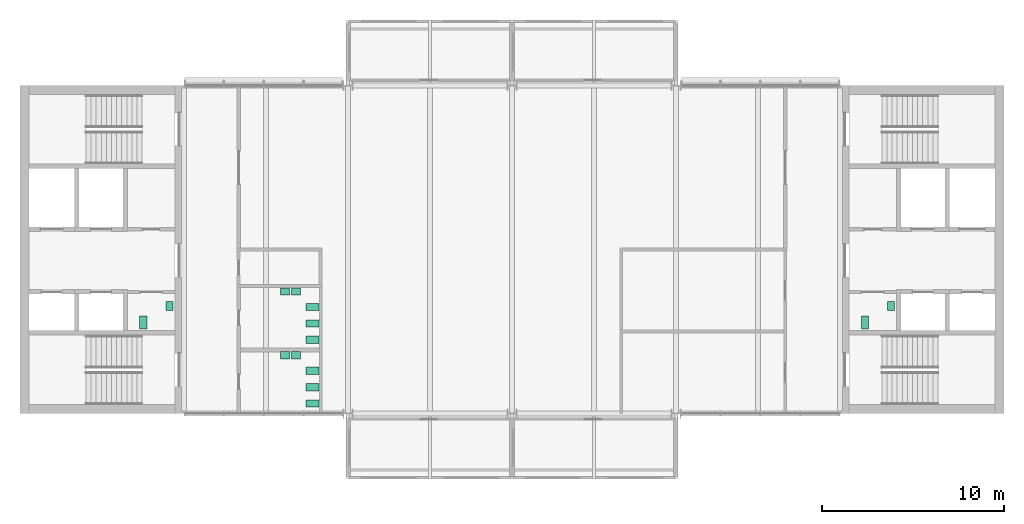
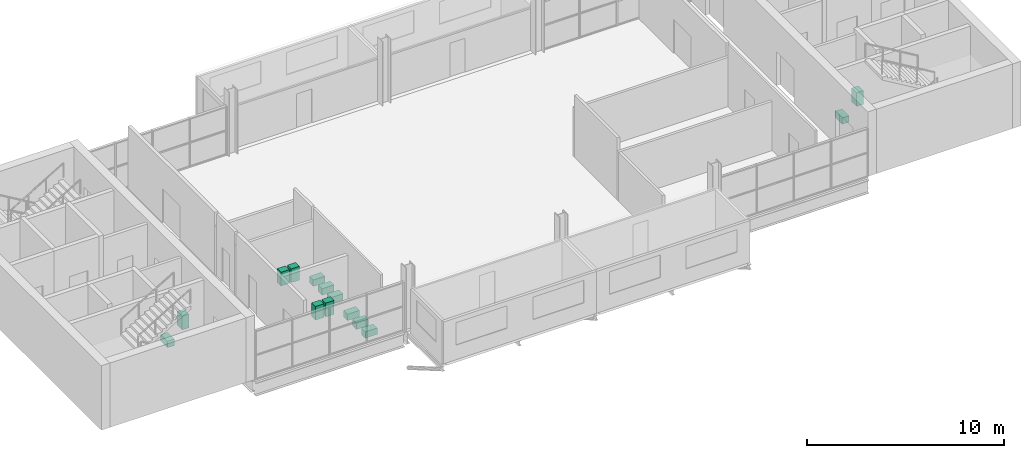
# One storey, part 10 of 10: 14 sanitary terminals.
"""IFC4 building model written with IfcOpenShell, lengths in metres."""

from ifc_helpers import new_model, si_unit, direction, frame, origin, origin_2d, place, context, subcontext, project, spatial, rectangle, extrude, element, save


model = new_model("IFC4")

# Units and contexts
model_context = context("Model", 3, precision=1e-05, world=origin(), true_north=direction((0.0, 1.0)))
body_context = subcontext(model_context, "Body", "Model", "MODEL_VIEW")
ifc_project = project(units=[si_unit("LENGTHUNIT", "METRE"), si_unit("AREAUNIT", "SQUARE_METRE"), si_unit("VOLUMEUNIT", "CUBIC_METRE"), si_unit("PLANEANGLEUNIT", "RADIAN"), si_unit("MASSUNIT", "GRAM", prefix="KILO")], contexts=[model_context])

# Site, building, storey
site_placement = place(None, origin())
site = spatial("IfcSite", under=ifc_project, at=site_placement, CompositionType="ELEMENT")
building_placement = place(site_placement, origin())
building = spatial("IfcBuilding", under=site, at=building_placement, Name="Corbel Yard City Hall", CompositionType="ELEMENT")
storey_placement = place(building_placement, frame((0.0, 0.0, 19.199951171875)))
storey = spatial("IfcBuildingStorey", under=building, at=storey_placement, Name="L04", CompositionType="ELEMENT", Elevation=19.199951171875)

# Sanitary terminals
sanitary_terminal_1_placement = place(storey_placement, frame((46.36669921875, 104.0, 0.0), z_axis=(0.0, 0.0, 1.0), x_axis=(1.0, 0.0, 0.0)))
element("IfcSanitaryTerminal", 1, at=sanitary_terminal_1_placement, inside=storey, Name="Water closet", PredefinedType="TOILETPAN", context=body_context, shape_type="SweptSolid", body=[
    extrude(rectangle(XDim=0.39990234375, YDim=0.699951171875, at=origin_2d()), origin(), (0.0, 0.0, 1.0), 0.39990234375),
])
sanitary_terminal_2_placement = place(storey_placement, frame((47.800048828125, 104.89990234375, 0.0), z_axis=(0.0, 0.0, 1.0), x_axis=(1.0, 0.0, 0.0)))
element("IfcSanitaryTerminal", 2, at=sanitary_terminal_2_placement, inside=storey, Name="Wash basin", PredefinedType="WASHHANDBASIN", context=body_context, shape_type="SweptSolid", body=[
    extrude(rectangle(XDim=0.39990234375, YDim=0.5, at=origin_2d()), origin(), (0.0, 0.0, 1.0), 0.85009765625),
])
sanitary_terminal_3_placement = place(storey_placement, frame((6.7666015625, 104.0, 0.0), z_axis=(0.0, 0.0, 1.0), x_axis=(1.0, 0.0, 0.0)))
element("IfcSanitaryTerminal", 3, at=sanitary_terminal_3_placement, inside=storey, Name="Water closet", PredefinedType="TOILETPAN", context=body_context, shape_type="SweptSolid", body=[
    extrude(rectangle(XDim=0.39990234375, YDim=0.699951171875, at=origin_2d()), origin(), (0.0, 0.0, 1.0), 0.39990234375),
])
sanitary_terminal_4_placement = place(storey_placement, frame((8.199951171875, 104.89990234375, 0.0), z_axis=(0.0, 0.0, 1.0), x_axis=(1.0, 0.0, 0.0)))
element("IfcSanitaryTerminal", 4, at=sanitary_terminal_4_placement, inside=storey, Name="Wash basin", PredefinedType="WASHHANDBASIN", context=body_context, shape_type="SweptSolid", body=[
    extrude(rectangle(XDim=0.39990234375, YDim=0.5, at=origin_2d()), origin(), (0.0, 0.0, 1.0), 0.85009765625),
])
for number, where, z_axis, x_axis, name in (
    (5, (16.050048828125, 99.550048828125, 0.0), (0.0, 0.0, 1.0), (1.0, 0.0, 0.0), "Water closet"),
    (6, (16.050048828125, 100.449951171875, 0.0), (0.0, 0.0, 1.0), (1.0, 0.0, 0.0), "Water closet"),
    (7, (16.050048828125, 101.35009765625, 0.0), (0.0, 0.0, 1.0), (1.0, 0.0, 0.0), "Water closet"),
):
    element("IfcSanitaryTerminal", number, at=place(storey_placement, frame(where, z_axis=z_axis, x_axis=x_axis)), inside=storey, Name=name, PredefinedType="TOILETPAN", context=body_context, shape_type="SweptSolid", body=[
        extrude(rectangle(XDim=0.699951171875, YDim=0.39990234375, at=origin_2d()), origin(), (0.0, 0.0, 1.0), 0.39990234375),
    ])
for number, where, z_axis, x_axis, name in (
    (8, (15.14990234375, 102.199951171875, 0.0), (0.0, 0.0, 1.0), (1.0, 0.0, 0.0), "Wash basin"),
    (9, (14.550048828125, 102.199951171875, 0.0), (0.0, 0.0, 1.0), (1.0, 0.0, 0.0), "Wash basin"),
):
    element("IfcSanitaryTerminal", number, at=place(storey_placement, frame(where, z_axis=z_axis, x_axis=x_axis)), inside=storey, Name=name, PredefinedType="WASHHANDBASIN", context=body_context, shape_type="SweptSolid", body=[
        extrude(rectangle(XDim=0.5, YDim=0.39990234375, at=origin_2d()), origin(), (0.0, 0.0, 1.0), 0.85009765625),
    ])
for number, where, z_axis, x_axis, name in (
    (10, (16.050048828125, 103.050048828125, 0.0), (0.0, 0.0, 1.0), (1.0, 0.0, 0.0), "Water closet"),
    (11, (16.050048828125, 103.949951171875, 0.0), (0.0, 0.0, 1.0), (1.0, 0.0, 0.0), "Water closet"),
    (12, (16.050048828125, 104.85009765625, 0.0), (0.0, 0.0, 1.0), (1.0, 0.0, 0.0), "Water closet"),
):
    element("IfcSanitaryTerminal", number, at=place(storey_placement, frame(where, z_axis=z_axis, x_axis=x_axis)), inside=storey, Name=name, PredefinedType="TOILETPAN", context=body_context, shape_type="SweptSolid", body=[
        extrude(rectangle(XDim=0.699951171875, YDim=0.39990234375, at=origin_2d()), origin(), (0.0, 0.0, 1.0), 0.39990234375),
    ])
for number, where, z_axis, x_axis, name in (
    (13, (15.14990234375, 105.699951171875, 0.0), (0.0, 0.0, 1.0), (1.0, 0.0, 0.0), "Wash basin"),
    (14, (14.550048828125, 105.699951171875, 0.0), (0.0, 0.0, 1.0), (1.0, 0.0, 0.0), "Wash basin"),
):
    element("IfcSanitaryTerminal", number, at=place(storey_placement, frame(where, z_axis=z_axis, x_axis=x_axis)), inside=storey, Name=name, PredefinedType="WASHHANDBASIN", context=body_context, shape_type="SweptSolid", body=[
        extrude(rectangle(XDim=0.5, YDim=0.39990234375, at=origin_2d()), origin(), (0.0, 0.0, 1.0), 0.85009765625),
    ])

save(model, "model.ifc")
